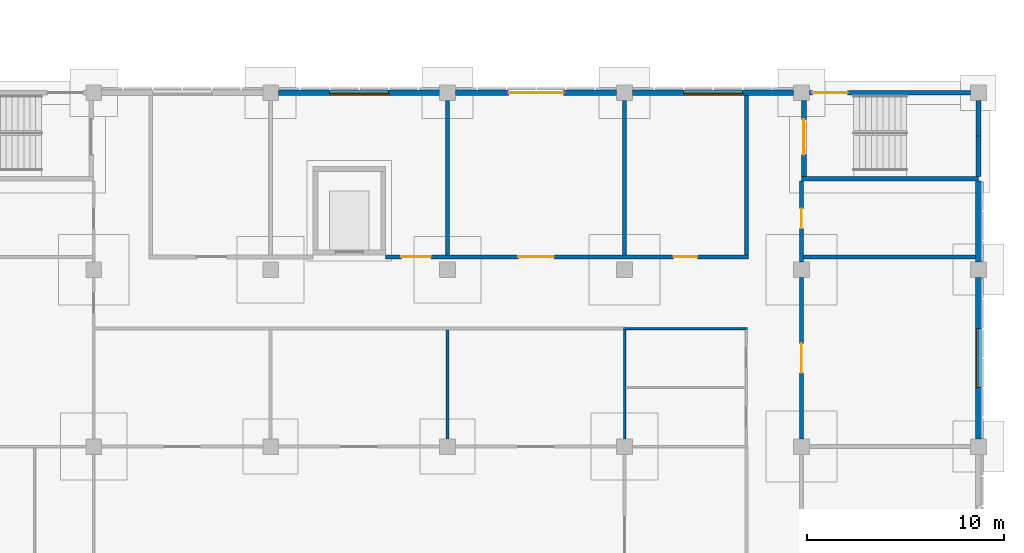
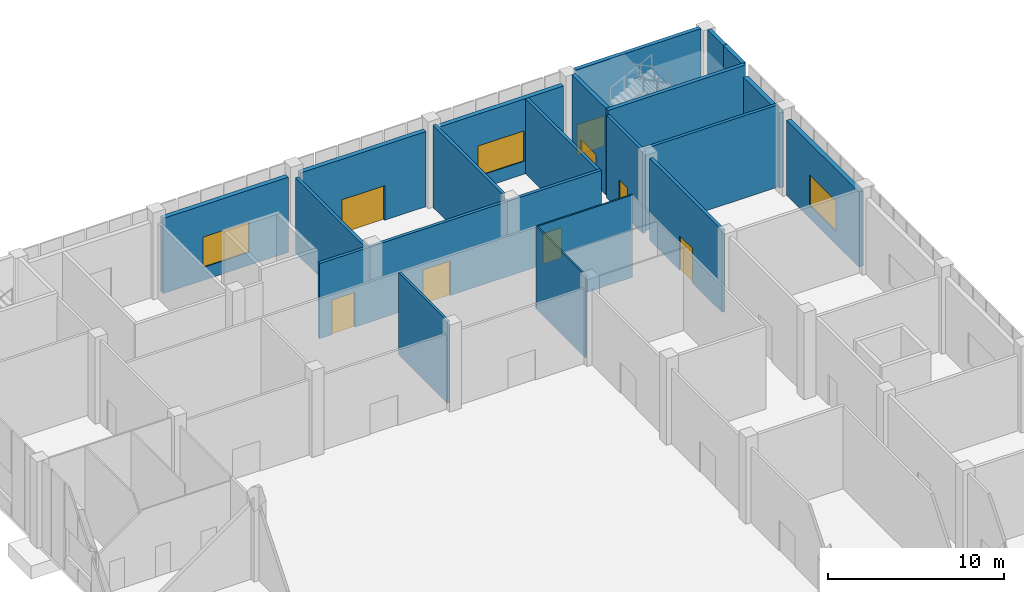
# One storey, part 64 of 86: 20 walls, 8 doors, 3 windows, 11 openings.
"""IFC4 building model written with IfcOpenShell, lengths in metres."""

from ifc_helpers import new_model, si_unit, direction, frame, frame_2d, origin, place, context, subcontext, project, spatial, rectangle, extrude, material, layer, layer_set, type_object, element, fill, save


model = new_model("IFC4")

# Units and contexts
model_context = context("Model", 3, precision=1e-05, world=origin(), true_north=direction((0.0, 1.0)))
body_context = subcontext(model_context, "Body", "Model", "MODEL_VIEW")
ifc_project = project(units=[si_unit("LENGTHUNIT", "METRE"), si_unit("AREAUNIT", "SQUARE_METRE"), si_unit("VOLUMEUNIT", "CUBIC_METRE"), si_unit("PLANEANGLEUNIT", "RADIAN"), si_unit("MASSUNIT", "GRAM", prefix="KILO")], contexts=[model_context])

# Site, building, storey
site_placement = place(None, origin())
site = spatial("IfcSite", under=ifc_project, at=site_placement, CompositionType="ELEMENT")
building_placement = place(site_placement, origin())
building = spatial("IfcBuilding", under=site, at=building_placement, Name="Guidao Yard Department Store", CompositionType="ELEMENT")
storey_placement = place(building_placement, origin())
storey = spatial("IfcBuildingStorey", under=building, at=storey_placement, Name="L00", CompositionType="ELEMENT", Elevation=0.0)

# Wall, opening, door
ifc_material_1 = material(Name="Concrete block MU10", Category="concrete")
ifc_layer_1 = layer(ifc_material_1, 0.199951171875)
ifc_layer_set_1 = layer_set([ifc_layer_1], Name="Fire Wall F3 200 mm blockwork EI 120")
wall_type_1 = type_object("IfcWallType", Name="Fire Wall F3 200 mm blockwork EI 120", PredefinedType="PARTITIONING", material=ifc_layer_set_1)
wall_1_placement = place(storey_placement, frame((162.0, 90.39990234375, 0.0), z_axis=(0.0, 0.0, 1.0), x_axis=(0.0, 1.0, 0.0)))
wall_1 = element("IfcWall", 1, at=wall_1_placement, inside=storey, type_object=wall_type_1, Name="Wall W-L00-3041", PredefinedType="PARTITIONING", context=body_context, shape_type="SweptSolid", body=[
    extrude(rectangle(XDim=8.2001953125, YDim=0.199951171875, at=frame_2d((4.10009765625, 0.0))), origin(), (0.0, 0.0, 1.0), 5.699951171875),
])
opening_1_placement = place(wall_1_placement, frame((4.85009765625, 0.0, 0.0), z_axis=(0.0, 0.0, 1.0), x_axis=(-1.0, 0.0, 0.0)))
opening_1 = element("IfcOpeningElement", 2, at=opening_1_placement, cuts=wall_1, Name="Opening L00-323", PredefinedType="OPENING", context=body_context, shape_type="SweptSolid", body=[
    extrude(rectangle(XDim=1.5, YDim=2.39990234375, at=frame_2d((0.75, 1.199951171875))), frame((0.0, 0.10986328125, 0.0), z_axis=(0.0, -1.0, 0.0), x_axis=(1.0, 0.0, 0.0)), (0.0, 0.0, 1.0), 0.219970703125),
])
ifc_material_2 = material(Name="Stainless steel 06Cr19Ni10", Category="steel")
door_type_1 = type_object("IfcDoorType", Name="Door FF5 cold store double 1500 x 2400 FD90", OperationType="DOUBLE_DOOR_SINGLE_SWING", PredefinedType="DOOR", material=ifc_material_2)
door_1_placement = place(opening_1_placement, origin())
door_1 = element("IfcDoor", 3, at=door_1_placement, inside=storey, type_object=door_type_1, Name="Door L00-323", OperationType="DOUBLE_DOOR_SINGLE_SWING", OverallHeight=2.39990234375, OverallWidth=1.5, PredefinedType="DOOR", context=body_context, shape_type="SweptSolid", body=[
    extrude(rectangle(XDim=1.5, YDim=2.39990234375, at=frame_2d((0.75, 1.199951171875))), frame((0.0, 0.02490234375, 0.0), z_axis=(0.0, -1.0, 0.0), x_axis=(1.0, 0.0, 0.0)), (0.0, 0.0, 1.0), 0.050048828125),
])
fill(opening_1, door_1)

wall_2_placement = place(storey_placement, frame((162.0, 99.39990234375, 0.0), z_axis=(0.0, 0.0, 1.0), x_axis=(0.0, 1.0, 0.0)))
wall_2 = element("IfcWall", 4, at=wall_2_placement, inside=storey, type_object=wall_type_1, Name="Wall W-L00-3046", PredefinedType="PARTITIONING", context=body_context, shape_type="SweptSolid", body=[
    extrude(rectangle(XDim=4.10009765625, YDim=0.199951171875, at=frame_2d((2.050048828125, 0.0))), origin(), (0.0, 0.0, 1.0), 5.699951171875),
])
opening_2_placement = place(wall_2_placement, frame((2.699951171875, 0.0, 0.0), z_axis=(0.0, 0.0, 1.0), x_axis=(-1.0, 0.0, 0.0)))
opening_2 = element("IfcOpeningElement", 5, at=opening_2_placement, cuts=wall_2, Name="Opening L00-330", PredefinedType="OPENING", context=body_context, shape_type="SweptSolid", body=[
    extrude(rectangle(XDim=1.0, YDim=2.10009765625, at=frame_2d((0.5, 1.050048828125))), frame((0.0, 0.10986328125, 0.0), z_axis=(0.0, -1.0, 0.0), x_axis=(1.0, 0.0, 0.0)), (0.0, 0.0, 1.0), 0.219970703125),
])
ifc_material_3 = material(Name="Steel Q235", Category="steel")
door_type_2 = type_object("IfcDoorType", Name="Door FF1 1000 x 2100 FD60", OperationType="SINGLE_SWING_LEFT", PredefinedType="DOOR", material=ifc_material_3)
door_2_placement = place(opening_2_placement, origin())
door_2 = element("IfcDoor", 6, at=door_2_placement, inside=storey, type_object=door_type_2, Name="Door L00-330", OperationType="SINGLE_SWING_LEFT", OverallHeight=2.10009765625, OverallWidth=1.0, PredefinedType="DOOR", context=body_context, shape_type="SweptSolid", body=[
    extrude(rectangle(XDim=1.0, YDim=2.10009765625, at=frame_2d((0.5, 1.050048828125))), frame((0.0, 0.02490234375, 0.0), z_axis=(0.0, -1.0, 0.0), x_axis=(1.0, 0.0, 0.0)), (0.0, 0.0, 1.0), 0.050048828125),
])
fill(opening_2, door_2)

# Wall, openings, doors
wall_3_placement = place(storey_placement, frame((140.85009765625, 99.64990234375, 0.0), z_axis=(0.0, 0.0, 1.0), x_axis=(1.0, 0.0, 0.0)))
wall_3 = element("IfcWall", 7, at=wall_3_placement, inside=storey, type_object=wall_type_1, Name="Wall W-L00-3048", PredefinedType="PARTITIONING", context=body_context, shape_type="SweptSolid", body=[
    extrude(rectangle(XDim=18.449951171875, YDim=0.199951171875, at=frame_2d((9.22509765625, 0.0))), origin(), (0.0, 0.0, 1.0), 5.199951171875),
])
opening_3_placement = place(wall_3_placement, frame((0.800048828125, 0.0, 0.0)))
opening_3 = element("IfcOpeningElement", 8, at=opening_3_placement, cuts=wall_3, Name="Opening L00-326", PredefinedType="OPENING", context=body_context, shape_type="SweptSolid", body=[
    extrude(rectangle(XDim=1.5, YDim=2.39990234375, at=frame_2d((0.75, 1.199951171875))), frame((0.0, 0.10986328125, 0.0), z_axis=(0.0, -1.0, 0.0), x_axis=(1.0, 0.0, 0.0)), (0.0, 0.0, 1.0), 0.219970703125),
])
opening_4_placement = place(wall_3_placement, frame((6.75, 0.0, 0.0)))
opening_4 = element("IfcOpeningElement", 9, at=opening_4_placement, cuts=wall_3, Name="Opening L00-327", PredefinedType="OPENING", context=body_context, shape_type="SweptSolid", body=[
    extrude(rectangle(XDim=1.800048828125, YDim=2.39990234375, at=frame_2d((0.89990234375, 1.199951171875))), frame((0.0, 0.10986328125, 0.0), z_axis=(0.0, -1.0, 0.0), x_axis=(1.0, 0.0, 0.0)), (0.0, 0.0, 1.0), 0.219970703125),
])
opening_5_placement = place(wall_3_placement, frame((14.64990234375, 0.0, 0.0)))
opening_5 = element("IfcOpeningElement", 10, at=opening_5_placement, cuts=wall_3, Name="Opening L00-328", PredefinedType="OPENING", context=body_context, shape_type="SweptSolid", body=[
    extrude(rectangle(XDim=1.199951171875, YDim=2.10009765625, at=frame_2d((0.60009765625, 1.050048828125))), frame((0.0, 0.10986328125, 0.0), z_axis=(0.0, -1.0, 0.0), x_axis=(1.0, 0.0, 0.0)), (0.0, 0.0, 1.0), 0.219970703125),
])
ifc_material_4 = material(Name="Steel Q235", Category="steel")
door_type_3 = type_object("IfcDoorType", Name="Door FF2 1200 x 2100 FD60", OperationType="SINGLE_SWING_LEFT", PredefinedType="DOOR", material=ifc_material_4)
door_3_placement = place(opening_5_placement, origin())
door_3 = element("IfcDoor", 11, at=door_3_placement, inside=storey, type_object=door_type_3, Name="Door L00-328", OperationType="SINGLE_SWING_RIGHT", OverallHeight=2.10009765625, OverallWidth=1.199951171875, PredefinedType="DOOR", context=body_context, shape_type="SweptSolid", body=[
    extrude(rectangle(XDim=1.199951171875, YDim=2.10009765625, at=frame_2d((0.60009765625, 1.050048828125))), frame((0.0, 0.02490234375, 0.0), z_axis=(0.0, -1.0, 0.0), x_axis=(1.0, 0.0, 0.0)), (0.0, 0.0, 1.0), 0.050048828125),
])
fill(opening_5, door_3)
door_4_placement = place(opening_3_placement, origin())
door_4 = element("IfcDoor", 12, at=door_4_placement, inside=storey, type_object=door_type_1, Name="Door L00-326", OperationType="DOUBLE_DOOR_SINGLE_SWING", OverallHeight=2.39990234375, OverallWidth=1.5, PredefinedType="DOOR", context=body_context, shape_type="SweptSolid", body=[
    extrude(rectangle(XDim=1.5, YDim=2.39990234375, at=frame_2d((0.75, 1.199951171875))), frame((0.0, 0.02490234375, 0.0), z_axis=(0.0, -1.0, 0.0), x_axis=(1.0, 0.0, 0.0)), (0.0, 0.0, 1.0), 0.050048828125),
])
fill(opening_3, door_4)
ifc_material_5 = material(Name="Steel Q235", Category="steel")
door_type_4 = type_object("IfcDoorType", Name="Door FF6 pallet double 1800 x 2400 FD60", OperationType="DOUBLE_DOOR_SINGLE_SWING", PredefinedType="DOOR", material=ifc_material_5)
door_5_placement = place(opening_4_placement, origin())
door_5 = element("IfcDoor", 13, at=door_5_placement, inside=storey, type_object=door_type_4, Name="Door L00-327", OperationType="DOUBLE_DOOR_SINGLE_SWING", OverallHeight=2.39990234375, OverallWidth=1.800048828125, PredefinedType="DOOR", context=body_context, shape_type="SweptSolid", body=[
    extrude(rectangle(XDim=1.800048828125, YDim=2.39990234375, at=frame_2d((0.89990234375, 1.199951171875))), frame((0.0, 0.02490234375, 0.0), z_axis=(0.0, -1.0, 0.0), x_axis=(1.0, 0.0, 0.0)), (0.0, 0.0, 1.0), 0.050048828125),
])
fill(opening_4, door_5)

# Walls
wall_4_placement = place(storey_placement, frame((162.10009765625, 99.64990234375, 0.0), z_axis=(0.0, 0.0, 1.0), x_axis=(1.0, 0.0, 0.0)))
element("IfcWall", 14, at=wall_4_placement, inside=storey, type_object=wall_type_1, Name="Wall W-L00-3049", PredefinedType="PARTITIONING", context=body_context, shape_type="SweptSolid", body=[
    extrude(rectangle(XDim=8.75, YDim=0.199951171875, at=frame_2d((4.375, 0.0))), origin(), (0.0, 0.0, 1.0), 5.699951171875),
])
wall_5_placement = place(storey_placement, frame((144.0, 99.75, 0.0), z_axis=(0.0, 0.0, 1.0), x_axis=(0.0, 1.0, 0.0)))
element("IfcWall", 15, at=wall_5_placement, inside=storey, type_object=wall_type_1, Name="Wall W-L00-3053", PredefinedType="PARTITIONING", context=body_context, shape_type="SweptSolid", body=[
    extrude(rectangle(XDim=7.85009765625, YDim=0.199951171875, at=frame_2d((3.925048828125, 0.0))), origin(), (0.0, 0.0, 1.0), 5.199951171875),
])
wall_6_placement = place(storey_placement, frame((153.0, 99.75, 0.0), z_axis=(0.0, 0.0, 1.0), x_axis=(0.0, 1.0, 0.0)))
element("IfcWall", 16, at=wall_6_placement, inside=storey, type_object=wall_type_1, Name="Wall W-L00-3054", PredefinedType="PARTITIONING", context=body_context, shape_type="SweptSolid", body=[
    extrude(rectangle(XDim=7.85009765625, YDim=0.199951171875, at=frame_2d((3.925048828125, 0.0))), origin(), (0.0, 0.0, 1.0), 5.699951171875),
])
wall_7_placement = place(storey_placement, frame((159.199951171875, 99.75, 0.0), z_axis=(0.0, 0.0, 1.0), x_axis=(0.0, 1.0, 0.0)))
element("IfcWall", 17, at=wall_7_placement, inside=storey, type_object=wall_type_1, Name="Wall W-L00-3055", PredefinedType="PARTITIONING", context=body_context, shape_type="SweptSolid", body=[
    extrude(rectangle(XDim=8.10009765625, YDim=0.199951171875, at=frame_2d((4.050048828125, 0.0))), origin(), (0.0, 0.0, 1.0), 5.199951171875),
])

# Wall, opening, window
ifc_material_6 = material(Name="Concrete C30", Category="concrete")
ifc_layer_2 = layer(ifc_material_6, 0.300048828125)
ifc_layer_set_2 = layer_set([ifc_layer_2], Name="Food hall wall 300 C30")
wall_type_2 = type_object("IfcWallType", Name="Food hall wall 300 C30", PredefinedType="SOLIDWALL", material=ifc_layer_set_2)
wall_8_placement = place(storey_placement, frame((135.39990234375, 108.0, 0.0), z_axis=(0.0, 0.0, 1.0), x_axis=(1.0, 0.0, 0.0)))
wall_8 = element("IfcWall", 18, at=wall_8_placement, inside=storey, type_object=wall_type_2, Name="Food hall wall", PredefinedType="SOLIDWALL", context=body_context, shape_type="SweptSolid", body=[
    extrude(rectangle(XDim=8.2001953125, YDim=0.300048828125, at=frame_2d((4.10009765625, 0.0))), origin(), (0.0, 0.0, 1.0), 5.199951171875),
])
opening_6_placement = place(wall_8_placement, frame((2.60009765625, 0.0, 0.89990234375)))
opening_6 = element("IfcOpeningElement", 19, at=opening_6_placement, cuts=wall_8, Name="Opening WN-L00-E17", PredefinedType="OPENING", context=body_context, shape_type="SweptSolid", body=[
    extrude(rectangle(XDim=3.0, YDim=2.10009765625, at=frame_2d((1.5, 1.050048828125))), frame((0.0, 0.159912109375, 0.0), z_axis=(0.0, -1.0, 0.0), x_axis=(1.0, 0.0, 0.0)), (0.0, 0.0, 1.0), 0.320068359375),
])
ifc_material_7 = material(Name="Laminated glass in aluminium frame", Category="aluminium")
window_type = type_object("IfcWindowType", Name="Punched window PW2 3000 x 2100 fixed", PartitioningType="SINGLE_PANEL", PredefinedType="WINDOW", material=ifc_material_7)
window_1_placement = place(opening_6_placement, origin())
window_1 = element("IfcWindow", 20, at=window_1_placement, inside=storey, type_object=window_type, Name="Punched window", OverallHeight=2.10009765625, OverallWidth=3.0, PartitioningType="SINGLE_PANEL", PredefinedType="WINDOW", context=body_context, shape_type="SweptSolid", body=[
    extrude(rectangle(XDim=3.0, YDim=2.10009765625, at=frame_2d((1.5, 1.050048828125))), frame((0.0, -0.030029296875, 0.0), z_axis=(0.0, -1.0, 0.0), x_axis=(1.0, 0.0, 0.0)), (0.0, 0.0, 1.0), 0.06005859375),
])
fill(opening_6, window_1)

# Wall, opening, door
wall_9_placement = place(storey_placement, frame((144.39990234375, 108.0, 0.0), z_axis=(0.0, 0.0, 1.0), x_axis=(1.0, 0.0, 0.0)))
wall_9 = element("IfcWall", 21, at=wall_9_placement, inside=storey, type_object=wall_type_2, Name="Food hall wall", PredefinedType="SOLIDWALL", context=body_context, shape_type="SweptSolid", body=[
    extrude(rectangle(XDim=8.2001953125, YDim=0.300048828125, at=frame_2d((4.10009765625, 0.0))), origin(), (0.0, 0.0, 1.0), 5.199951171875),
])
opening_7_placement = place(wall_9_placement, frame((2.699951171875, 0.0, 0.0)))
opening_7 = element("IfcOpeningElement", 22, at=opening_7_placement, cuts=wall_9, Name="Opening L00-873", PredefinedType="OPENING", context=body_context, shape_type="SweptSolid", body=[
    extrude(rectangle(XDim=2.800048828125, YDim=2.39990234375, at=frame_2d((1.39990234375, 1.199951171875))), frame((0.0, 0.159912109375, 0.0), z_axis=(0.0, -1.0, 0.0), x_axis=(1.0, 0.0, 0.0)), (0.0, 0.0, 1.0), 0.320068359375),
])
ifc_material_8 = material(Name="Steel Q235", Category="steel")
door_type_5 = type_object("IfcDoorType", Name="Service door SD1 2800 x 2400 steel double leaf", OperationType="DOUBLE_DOOR_SINGLE_SWING", PredefinedType="DOOR", material=ifc_material_8)
door_6_placement = place(opening_7_placement, origin())
door_6 = element("IfcDoor", 23, at=door_6_placement, inside=storey, type_object=door_type_5, Name="Service entrance E10", OperationType="DOUBLE_DOOR_SINGLE_SWING", OverallHeight=2.39990234375, OverallWidth=2.800048828125, PredefinedType="DOOR", context=body_context, shape_type="SweptSolid", body=[
    extrude(rectangle(XDim=2.800048828125, YDim=2.39990234375, at=frame_2d((1.39990234375, 1.199951171875))), frame((0.0, 0.02490234375, 0.0), z_axis=(0.0, -1.0, 0.0), x_axis=(1.0, 0.0, 0.0)), (0.0, 0.0, 1.0), 0.050048828125),
])
fill(opening_7, door_6)

# Wall, opening, window
wall_10_placement = place(storey_placement, frame((153.39990234375, 108.0, 0.0), z_axis=(0.0, 0.0, 1.0), x_axis=(1.0, 0.0, 0.0)))
wall_10 = element("IfcWall", 24, at=wall_10_placement, inside=storey, type_object=wall_type_2, Name="Food hall wall", PredefinedType="SOLIDWALL", context=body_context, shape_type="SweptSolid", body=[
    extrude(rectangle(XDim=8.2001953125, YDim=0.300048828125, at=frame_2d((4.10009765625, 0.0))), origin(), (0.0, 0.0, 1.0), 5.199951171875),
])
opening_8_placement = place(wall_10_placement, frame((2.60009765625, 0.0, 0.89990234375)))
opening_8 = element("IfcOpeningElement", 25, at=opening_8_placement, cuts=wall_10, Name="Opening WN-L00-E18", PredefinedType="OPENING", context=body_context, shape_type="SweptSolid", body=[
    extrude(rectangle(XDim=3.0, YDim=2.10009765625, at=frame_2d((1.5, 1.050048828125))), frame((0.0, 0.159912109375, 0.0), z_axis=(0.0, -1.0, 0.0), x_axis=(1.0, 0.0, 0.0)), (0.0, 0.0, 1.0), 0.320068359375),
])
window_2_placement = place(opening_8_placement, origin())
window_2 = element("IfcWindow", 26, at=window_2_placement, inside=storey, type_object=window_type, Name="Punched window", OverallHeight=2.10009765625, OverallWidth=3.0, PartitioningType="SINGLE_PANEL", PredefinedType="WINDOW", context=body_context, shape_type="SweptSolid", body=[
    extrude(rectangle(XDim=3.0, YDim=2.10009765625, at=frame_2d((1.5, 1.050048828125))), frame((0.0, -0.030029296875, 0.0), z_axis=(0.0, -1.0, 0.0), x_axis=(1.0, 0.0, 0.0)), (0.0, 0.0, 1.0), 0.06005859375),
])
fill(opening_8, window_2)

wall_11_placement = place(storey_placement, frame((171.0, 98.60009765625, 0.0), z_axis=(0.0, 0.0, 1.0), x_axis=(0.0, -1.0, 0.0)))
wall_11 = element("IfcWall", 27, at=wall_11_placement, inside=storey, type_object=wall_type_2, Name="Food hall wall", PredefinedType="SOLIDWALL", context=body_context, shape_type="SweptSolid", body=[
    extrude(rectangle(XDim=8.2001953125, YDim=0.300048828125, at=frame_2d((4.10009765625, 0.0))), origin(), (0.0, 0.0, 1.0), 5.199951171875),
])
opening_9_placement = place(wall_11_placement, frame((2.60009765625, 0.0, 0.89990234375)))
opening_9 = element("IfcOpeningElement", 28, at=opening_9_placement, cuts=wall_11, Name="Opening WN-L00-E23", PredefinedType="OPENING", context=body_context, shape_type="SweptSolid", body=[
    extrude(rectangle(XDim=3.0, YDim=2.10009765625, at=frame_2d((1.5, 1.050048828125))), frame((0.0, 0.159912109375, 0.0), z_axis=(0.0, -1.0, 0.0), x_axis=(1.0, 0.0, 0.0)), (0.0, 0.0, 1.0), 0.320068359375),
])
window_3_placement = place(opening_9_placement, origin())
window_3 = element("IfcWindow", 29, at=window_3_placement, inside=storey, type_object=window_type, Name="Punched window", OverallHeight=2.10009765625, OverallWidth=3.0, PartitioningType="SINGLE_PANEL", PredefinedType="WINDOW", context=body_context, shape_type="SweptSolid", body=[
    extrude(rectangle(XDim=3.0, YDim=2.10009765625, at=frame_2d((1.5, 1.050048828125))), frame((0.0, -0.030029296875, 0.0), z_axis=(0.0, -1.0, 0.0), x_axis=(1.0, 0.0, 0.0)), (0.0, 0.0, 1.0), 0.06005859375),
])
fill(opening_9, window_3)

# Walls
wall_12_placement = place(storey_placement, frame((171.0, 103.5, 0.0), z_axis=(0.0, 0.0, 1.0), x_axis=(0.0, -1.0, 0.0)))
element("IfcWall", 30, at=wall_12_placement, inside=storey, type_object=wall_type_2, Name="Food hall wall", PredefinedType="SOLIDWALL", context=body_context, shape_type="SweptSolid", body=[
    extrude(rectangle(XDim=4.10009765625, YDim=0.300048828125, at=frame_2d((2.050048828125, 0.0))), origin(), (0.0, 0.0, 1.0), 5.199951171875),
])
ifc_material_9 = material(Name="Gypsum board on Steel Q235 studs", Category="steel")
ifc_layer_3 = layer(ifc_material_9, 0.10009765625)
ifc_layer_set_3 = layer_set([ifc_layer_3], Name="Partition F1 100 mm gypsum board EI 30")
wall_type_3 = type_object("IfcWallType", Name="Partition F1 100 mm gypsum board EI 30", PredefinedType="PARTITIONING", material=ifc_layer_set_3)
wall_13_placement = place(storey_placement, frame((153.0, 90.39990234375, 0.0), z_axis=(0.0, 0.0, 1.0), x_axis=(0.0, 1.0, 0.0)))
element("IfcWall", 31, at=wall_13_placement, inside=storey, type_object=wall_type_3, Name="Wall W-L00-3040", PredefinedType="PARTITIONING", context=body_context, shape_type="SweptSolid", body=[
    extrude(rectangle(XDim=5.525146484375, YDim=0.10009765625, at=frame_2d((2.7626953125, 0.0))), origin(), (0.0, 0.0, 1.0), 5.699951171875),
])
wall_14_placement = place(storey_placement, frame((152.949951171875, 96.0, 0.0), z_axis=(0.0, 0.0, 1.0), x_axis=(1.0, 0.0, 0.0)))
element("IfcWall", 32, at=wall_14_placement, inside=storey, type_object=wall_type_3, Name="Wall W-L00-3044", PredefinedType="PARTITIONING", context=body_context, shape_type="SweptSolid", body=[
    extrude(rectangle(XDim=6.300048828125, YDim=0.10009765625, at=frame_2d((3.14990234375, 0.0))), origin(), (0.0, 0.0, 1.0), 5.699951171875),
])
ifc_material_10 = material(Name="Concrete block MU10", Category="concrete")
ifc_layer_4 = layer(ifc_material_10, 0.14990234375)
ifc_layer_set_4 = layer_set([ifc_layer_4], Name="Wall F2 150 mm blockwork EI 60")
wall_type_4 = type_object("IfcWallType", Name="Wall F2 150 mm blockwork EI 60", PredefinedType="PARTITIONING", material=ifc_layer_set_4)
wall_15_placement = place(storey_placement, frame((144.0, 90.39990234375, 0.0), z_axis=(0.0, 0.0, 1.0), x_axis=(0.0, 1.0, 0.0)))
element("IfcWall", 33, at=wall_15_placement, inside=storey, type_object=wall_type_4, Name="Wall W-L00-3039", PredefinedType="PARTITIONING", context=body_context, shape_type="SweptSolid", body=[
    extrude(rectangle(XDim=5.525146484375, YDim=0.14990234375, at=frame_2d((2.7626953125, 0.0))), origin(), (0.0, 0.0, 1.0), 5.699951171875),
])
ifc_material_11 = material(Name="Concrete C40", Category="concrete")
ifc_layer_5 = layer(ifc_material_11, 0.25)
ifc_layer_set_5 = layer_set([ifc_layer_5], Name="Wall RC 250 C40 stair and shaft")
wall_type_5 = type_object("IfcWallType", Name="Wall RC 250 C40 stair and shaft", PredefinedType="SHEAR", material=ifc_layer_set_5)
wall_16_placement = place(storey_placement, frame((162.0, 103.625, 0.0), z_axis=(0.0, 0.0, 1.0), x_axis=(1.0, 0.0, 0.0)))
element("IfcWall", 34, at=wall_16_placement, inside=storey, type_object=wall_type_5, Name="Stair wall SF2", PredefinedType="SHEAR", context=body_context, shape_type="SweptSolid", body=[
    extrude(rectangle(XDim=9.0, YDim=0.25, at=frame_2d((4.5, 0.0))), origin(), (0.0, 0.0, 1.0), 6.0),
])

# Wall, opening, door
wall_17_placement = place(storey_placement, frame((162.39990234375, 108.0, 0.0), z_axis=(0.0, 0.0, 1.0), x_axis=(1.0, 0.0, 0.0)))
wall_17 = element("IfcWall", 35, at=wall_17_placement, inside=storey, type_object=wall_type_5, Name="Stair wall SF2", PredefinedType="SHEAR", context=body_context, shape_type="SweptSolid", body=[
    extrude(rectangle(XDim=8.2001953125, YDim=0.25, at=frame_2d((4.10009765625, 0.0))), origin(), (0.0, 0.0, 1.0), 6.0),
])
opening_10_placement = place(wall_17_placement, frame((0.14990234375, 0.0, 0.0)))
opening_10 = element("IfcOpeningElement", 36, at=opening_10_placement, cuts=wall_17, Name="Opening L00-827", PredefinedType="OPENING", context=body_context, shape_type="SweptSolid", body=[
    extrude(rectangle(XDim=1.800048828125, YDim=2.10009765625, at=frame_2d((0.89990234375, 1.050048828125))), frame((0.0, 0.135009765625, 0.0), z_axis=(0.0, -1.0, 0.0), x_axis=(1.0, 0.0, 0.0)), (0.0, 0.0, 1.0), 0.27001953125),
])
ifc_material_12 = material(Name="Steel Q235", Category="steel")
door_type_6 = type_object("IfcDoorType", Name="Door fire-resisting 1800 x 2100 FD60", OperationType="DOUBLE_DOOR_SINGLE_SWING", PredefinedType="DOOR", material=ifc_material_12)
door_7_placement = place(opening_10_placement, origin())
door_7 = element("IfcDoor", 37, at=door_7_placement, inside=storey, type_object=door_type_6, Name="Stair F2 door L00 discharge", OperationType="DOUBLE_DOOR_SINGLE_SWING", OverallHeight=2.10009765625, OverallWidth=1.800048828125, PredefinedType="DOOR", context=body_context, shape_type="SweptSolid", body=[
    extrude(rectangle(XDim=1.800048828125, YDim=2.10009765625, at=frame_2d((0.89990234375, 1.050048828125))), frame((0.0, 0.02490234375, 0.0), z_axis=(0.0, -1.0, 0.0), x_axis=(1.0, 0.0, 0.0)), (0.0, 0.0, 1.0), 0.050048828125),
])
fill(opening_10, door_7)

wall_18_placement = place(storey_placement, frame((162.125, 103.75, 0.0), z_axis=(0.0, 0.0, 1.0), x_axis=(0.0, 1.0, 0.0)))
wall_18 = element("IfcWall", 38, at=wall_18_placement, inside=storey, type_object=wall_type_5, Name="Stair wall SF2", PredefinedType="SHEAR", context=body_context, shape_type="SweptSolid", body=[
    extrude(rectangle(XDim=3.85009765625, YDim=0.25, at=frame_2d((1.925048828125, 0.0))), origin(), (0.0, 0.0, 1.0), 6.0),
])
opening_11_placement = place(wall_18_placement, frame((2.900146484375, 0.0, 0.0), z_axis=(0.0, 0.0, 1.0), x_axis=(-1.0, 0.0, 0.0)))
opening_11 = element("IfcOpeningElement", 39, at=opening_11_placement, cuts=wall_18, Name="Opening L00-826", PredefinedType="OPENING", context=body_context, shape_type="SweptSolid", body=[
    extrude(rectangle(XDim=1.800048828125, YDim=2.10009765625, at=frame_2d((0.89990234375, 1.050048828125))), frame((0.0, 0.135009765625, 0.0), z_axis=(0.0, -1.0, 0.0), x_axis=(1.0, 0.0, 0.0)), (0.0, 0.0, 1.0), 0.27001953125),
])
door_8_placement = place(opening_11_placement, origin())
door_8 = element("IfcDoor", 40, at=door_8_placement, inside=storey, type_object=door_type_6, Name="Stair F2 door L00", OperationType="DOUBLE_DOOR_SINGLE_SWING", OverallHeight=2.10009765625, OverallWidth=1.800048828125, PredefinedType="DOOR", context=body_context, shape_type="SweptSolid", body=[
    extrude(rectangle(XDim=1.800048828125, YDim=2.10009765625, at=frame_2d((0.89990234375, 1.050048828125))), frame((0.0, 0.02490234375, 0.0), z_axis=(0.0, -1.0, 0.0), x_axis=(1.0, 0.0, 0.0)), (0.0, 0.0, 1.0), 0.050048828125),
])
fill(opening_11, door_8)

# Walls
wall_19_placement = place(storey_placement, frame((171.0, 103.75, 0.0), z_axis=(0.0, 0.0, 1.0), x_axis=(0.0, 1.0, 0.0)))
element("IfcWall", 41, at=wall_19_placement, inside=storey, type_object=wall_type_5, Name="Stair wall SF2", PredefinedType="SHEAR", context=body_context, shape_type="SweptSolid", body=[
    extrude(rectangle(XDim=2.06201171875, YDim=0.25, at=frame_2d((1.031005859375, 0.0))), origin(), (0.0, 0.0, 1.0), 6.0),
])
wall_20_placement = place(storey_placement, frame((171.0, 105.81201171875, 0.0), z_axis=(0.0, 0.0, 1.0), x_axis=(0.0, 1.0, 0.0)))
element("IfcWall", 42, at=wall_20_placement, inside=storey, type_object=wall_type_5, Name="Stair wall SF2", PredefinedType="SHEAR", context=body_context, shape_type="SweptSolid", body=[
    extrude(rectangle(XDim=1.7880859375, YDim=0.25, at=frame_2d((0.89404296875, 0.0))), origin(), (0.0, 0.0, 1.0), 6.0),
])

save(model, "model.ifc")
